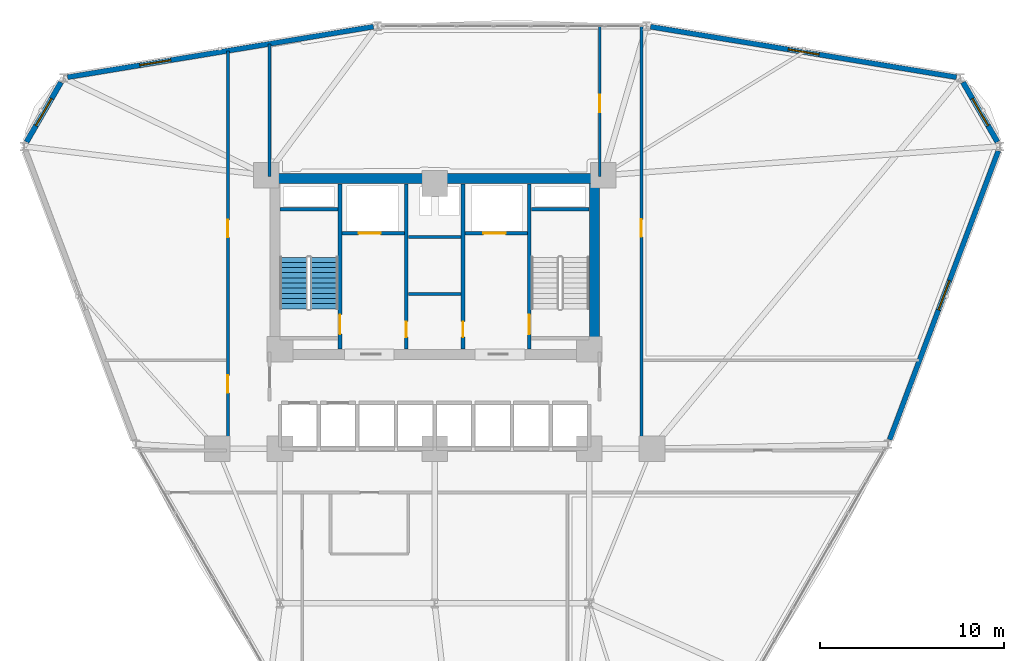
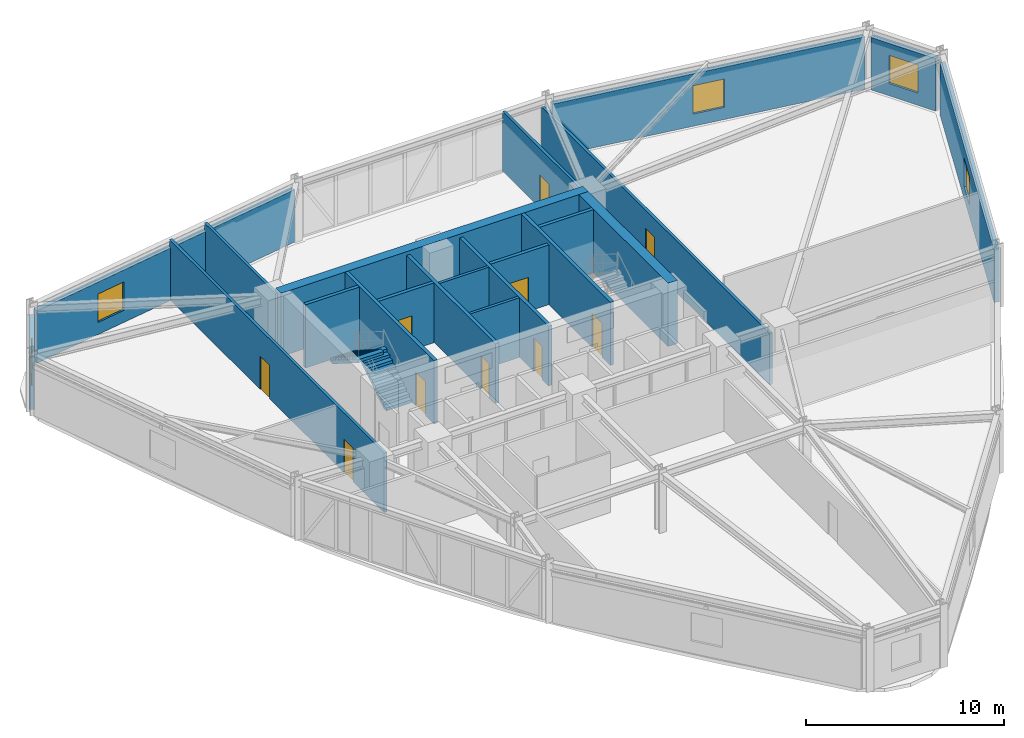
# One storey, part 15 of 20: 21 walls, 10 doors, 5 windows, 2 stair flights, 15 openings, 1 element without a shape of its own.
"""IFC4 building model written with IfcOpenShell, lengths in metres."""

from ifc_helpers import new_model, si_unit, derived_unit, direction, frame, frame_2d, origin, place, context, subcontext, project, spatial, polyline, rectangle, outline, extrude, material, layer, layer_set, type_object, element, fill, aggregate, save


model = new_model("IFC4")

# Units and contexts
model_context = context("Model", 3, precision=1e-05, world=origin(), true_north=direction((0.0, 1.0)))
body_context = subcontext(model_context, "Body", "Model", "MODEL_VIEW")
ifc_project = project(units=[si_unit("LENGTHUNIT", "METRE"), si_unit("AREAUNIT", "SQUARE_METRE"), si_unit("VOLUMEUNIT", "CUBIC_METRE"), si_unit("PLANEANGLEUNIT", "RADIAN"), si_unit("MASSUNIT", "GRAM", prefix="KILO"), derived_unit("THERMALTRANSMITTANCEUNIT", [(si_unit("POWERUNIT", "WATT"), 1), (si_unit("LENGTHUNIT", "METRE"), -2), (si_unit("THERMODYNAMICTEMPERATUREUNIT", "KELVIN"), -1)])], contexts=[model_context])

# Site, building, storey
site_placement = place(None, origin())
site = spatial("IfcSite", under=ifc_project, at=site_placement, CompositionType="ELEMENT")
building_placement = place(site_placement, origin())
building = spatial("IfcBuilding", under=site, at=building_placement, Name="Korsvarv Bourse and Concert Hall", CompositionType="ELEMENT")
storey_placement = place(building_placement, frame((0.0, 0.0, 91.199951171875)))
storey = spatial("IfcBuildingStorey", under=building, at=storey_placement, Name="L22", CompositionType="ELEMENT", Elevation=91.199951171875)

# Wall, opening, door
ifc_material_1 = material(Name="Concrete C50/60", Category="concrete")
ifc_layer_1 = layer(ifc_material_1, 0.3798828125)
ifc_layer_set_1 = layer_set([ifc_layer_1], Name="Concrete C50/60")
wall_type_1 = type_object("IfcWallType", Name="WL-CORE-380", PredefinedType="SHEAR", material=ifc_layer_set_1)
wall_1_placement = place(storey_placement, frame((30.860107421875, 37.81005859375, 0.0), z_axis=(0.0, 0.0, 1.0), x_axis=(0.0, 1.0, 0.0)))
wall_1 = element("IfcWall", 1, at=wall_1_placement, inside=storey, type_object=wall_type_1, Name="L22 stair shaft structural wall W-L22-ST1-E", PredefinedType="SHEAR", context=body_context, shape_type="SweptSolid", body=[
    extrude(rectangle(XDim=8.97998046875, YDim=0.199951171875, at=frame_2d((4.489990234375, 0.0))), origin(), (0.0, 0.0, 1.0), 3.900146484375),
])
opening_1_placement = place(wall_1_placement, frame((0.820068359375, 0.0, 0.0)))
opening_1 = element("IfcOpeningElement", 2, at=opening_1_placement, cuts=wall_1, Name="Opening D-01", PredefinedType="OPENING", context=body_context, shape_type="SweptSolid", body=[
    extrude(rectangle(XDim=1.050048828125, YDim=2.10009765625, at=frame_2d((0.52490234375, 1.050048828125))), frame((0.0, 0.10986328125, 0.0), z_axis=(0.0, -1.0, 0.0), x_axis=(1.0, 0.0, 0.0)), (0.0, 0.0, 1.0), 0.219970703125),
])
ifc_material_2 = material(Name="Steel S355 fire door", Category="steel")
door_type_1 = type_object("IfcDoorType", Name="DR-FD60", OperationType="NOTDEFINED", PredefinedType="DOOR", material=ifc_material_2)
door_1_placement = place(opening_1_placement, origin())
door_1 = element("IfcDoor", 3, at=door_1_placement, inside=storey, type_object=door_type_1, Name="L22 interior door DR-L22-ST1", OperationType="SINGLE_SWING_RIGHT", OverallHeight=2.10009765625, OverallWidth=1.050048828125, PredefinedType="DOOR", context=body_context, shape_type="SweptSolid", body=[
    extrude(rectangle(XDim=1.050048828125, YDim=2.10009765625, at=frame_2d((0.52490234375, 1.050048828125))), frame((0.0, 0.02490234375, 0.0), z_axis=(0.0, -1.0, 0.0), x_axis=(1.0, 0.0, 0.0)), (0.0, 0.0, 1.0), 0.050048828125),
])
fill(opening_1, door_1)

# Wall
wall_2_placement = place(storey_placement, frame((27.610107421875, 45.39990234375, 0.0), z_axis=(0.0, 0.0, 1.0), x_axis=(1.0, 0.0, 0.0)))
element("IfcWall", 4, at=wall_2_placement, inside=storey, type_object=wall_type_1, Name="L22 stair shaft structural wall W-L22-ST1-N", PredefinedType="SHEAR", context=body_context, shape_type="SweptSolid", body=[
    extrude(rectangle(XDim=3.139892578125, YDim=0.199951171875, at=frame_2d((1.56982421875, 0.0))), origin(), (0.0, 0.0, 1.0), 3.900146484375),
])

# Wall, opening, door
wall_3_placement = place(storey_placement, frame((41.139892578125, 37.81005859375, 0.0), z_axis=(0.0, 0.0, 1.0), x_axis=(0.0, 1.0, 0.0)))
wall_3 = element("IfcWall", 5, at=wall_3_placement, inside=storey, type_object=wall_type_1, Name="L22 stair shaft structural wall W-L22-ST2-W", PredefinedType="SHEAR", context=body_context, shape_type="SweptSolid", body=[
    extrude(rectangle(XDim=8.97998046875, YDim=0.199951171875, at=frame_2d((4.489990234375, 0.0))), origin(), (0.0, 0.0, 1.0), 3.900146484375),
])
opening_2_placement = place(wall_3_placement, frame((0.820068359375, 0.0, 0.0)))
opening_2 = element("IfcOpeningElement", 6, at=opening_2_placement, cuts=wall_3, Name="Opening D-01", PredefinedType="OPENING", context=body_context, shape_type="SweptSolid", body=[
    extrude(rectangle(XDim=1.050048828125, YDim=2.10009765625, at=frame_2d((0.52490234375, 1.050048828125))), frame((0.0, 0.10986328125, 0.0), z_axis=(0.0, -1.0, 0.0), x_axis=(1.0, 0.0, 0.0)), (0.0, 0.0, 1.0), 0.219970703125),
])
door_2_placement = place(opening_2_placement, frame((1.050048828125, 0.0, 0.0), z_axis=(0.0, 0.0, 1.0), x_axis=(-1.0, 0.0, 0.0)))
door_2 = element("IfcDoor", 7, at=door_2_placement, inside=storey, type_object=door_type_1, Name="L22 interior door DR-L22-ST2", OperationType="SINGLE_SWING_LEFT", OverallHeight=2.10009765625, OverallWidth=1.050048828125, PredefinedType="DOOR", context=body_context, shape_type="SweptSolid", body=[
    extrude(rectangle(XDim=1.050048828125, YDim=2.10009765625, at=frame_2d((0.52490234375, 1.050048828125))), frame((0.0, 0.02490234375, 0.0), z_axis=(0.0, -1.0, 0.0), x_axis=(1.0, 0.0, 0.0)), (0.0, 0.0, 1.0), 0.050048828125),
])
fill(opening_2, door_2)

# Walls
wall_4_placement = place(storey_placement, frame((41.25, 45.39990234375, 0.0), z_axis=(0.0, 0.0, 1.0), x_axis=(1.0, 0.0, 0.0)))
element("IfcWall", 8, at=wall_4_placement, inside=storey, type_object=wall_type_1, Name="L22 stair shaft structural wall W-L22-ST2-N", PredefinedType="SHEAR", context=body_context, shape_type="SweptSolid", body=[
    extrude(rectangle(XDim=3.139892578125, YDim=0.199951171875, at=frame_2d((1.56982421875, 0.0))), origin(), (0.0, 0.0, 1.0), 3.900146484375),
])
ifc_material_3 = material(Name="Concrete C60/75", Category="concrete")
ifc_layer_2 = layer(ifc_material_3, 0.550048828125)
ifc_layer_set_2 = layer_set([ifc_layer_2], Name="Concrete C60/75")
wall_type_2 = type_object("IfcWallType", Name="WL-CORE-550", PredefinedType="SHEAR", material=ifc_layer_set_2)
wall_5_placement = place(storey_placement, frame((27.050048828125, 47.074951171875, 0.0), z_axis=(0.0, 0.0, 1.0), x_axis=(1.0, 0.0, 0.0)))
element("IfcWall", 9, at=wall_5_placement, inside=storey, type_object=wall_type_2, Name="L22 North Core Shear Wall", PredefinedType="SHEAR", context=body_context, shape_type="SweptSolid", body=[
    extrude(rectangle(XDim=17.89990234375, YDim=0.550048828125, at=frame_2d((8.949951171875, 0.0))), origin(), (0.0, 0.0, 1.0), 3.900146484375),
])
wall_6_placement = place(storey_placement, frame((44.675048828125, 37.800048828125, 0.0), z_axis=(0.0, 0.0, 1.0), x_axis=(0.0, 1.0, 0.0)))
element("IfcWall", 10, at=wall_6_placement, inside=storey, type_object=wall_type_2, Name="L22 East Core Shear Wall", PredefinedType="SHEAR", context=body_context, shape_type="SweptSolid", body=[
    extrude(rectangle(XDim=9.0, YDim=0.550048828125, at=frame_2d((4.5, 0.0))), origin(), (0.0, 0.0, 1.0), 3.900146484375),
])

# Wall, opening, window
ifc_material_4 = material(Name="Precast concrete C45/55 with terracotta rainscreen", Category="concrete")
ifc_layer_3 = layer(ifc_material_4, 0.300048828125)
ifc_layer_set_3 = layer_set([ifc_layer_3], Name="Precast concrete C45/55 with terracotta rainscreen")
wall_type_3 = type_object("IfcWallType", Name="WL-EXT-TC1", PredefinedType="SOLIDWALL", material=ifc_layer_set_3)
wall_7_placement = place(storey_placement, frame((66.565185546875, 49.0615234375, 0.0), z_axis=(0.0, 0.0, 1.0), x_axis=(-0.500012356405, 0.866018269693, 0.0)))
wall_7 = element("IfcWall", 11, at=wall_7_placement, inside=storey, type_object=wall_type_3, Name="L22 terracotta exterior wall EW-L22-B01", PredefinedType="SOLIDWALL", context=body_context, shape_type="SweptSolid", body=[
    extrude(rectangle(XDim=3.7421875, YDim=0.300048828125, at=frame_2d((1.87109375, 0.0))), origin(), (0.0, 0.0, 1.0), 3.22998046875),
])
opening_3_placement = place(wall_7_placement, frame((1.02099609375, 0.0, 0.75)))
opening_3 = element("IfcOpeningElement", 12, at=opening_3_placement, cuts=wall_7, Name="Opening W-01", PredefinedType="OPENING", context=body_context, shape_type="SweptSolid", body=[
    extrude(rectangle(XDim=1.699951171875, YDim=1.75, at=frame_2d((0.85009765625, 0.875))), frame((0.0, 0.16015625, 0.0), z_axis=(0.0, -1.0, 0.0), x_axis=(1.0, 0.0, 0.0)), (0.0, 0.0, 1.0), 0.320068359375),
])
ifc_material_5 = material(Name="Thermally broken aluminium frame with triple low-E glass", Category="glass")
window_type = type_object("IfcWindowType", Name="WIN-TW1", PartitioningType="SINGLE_PANEL", PredefinedType="WINDOW", material=ifc_material_5)
window_1_placement = place(opening_3_placement, origin())
window_1 = element("IfcWindow", 13, at=window_1_placement, inside=storey, type_object=window_type, Name="L22 punched facade window W-01", OverallHeight=1.75, OverallWidth=1.699951171875, PartitioningType="SINGLE_PANEL", PredefinedType="WINDOW", context=body_context, shape_type="SweptSolid", body=[
    extrude(rectangle(XDim=1.699951171875, YDim=1.75, at=frame_2d((0.85009765625, 0.875))), frame((0.0, 0.030029296875, 0.0), z_axis=(0.0, -1.0, 0.0), x_axis=(1.0, 0.0, 0.0)), (0.0, 0.0, 1.0), 0.06005859375),
])
fill(opening_3, window_1)

wall_8_placement = place(storey_placement, frame((15.705810546875, 52.30224609375, 0.0), z_axis=(0.0, 0.0, 1.0), x_axis=(-0.500012356405, -0.866018269693, 0.0)))
wall_8 = element("IfcWall", 14, at=wall_8_placement, inside=storey, type_object=wall_type_3, Name="L22 terracotta exterior wall EW-L22-B05", PredefinedType="SOLIDWALL", context=body_context, shape_type="SweptSolid", body=[
    extrude(rectangle(XDim=3.7421875, YDim=0.300048828125, at=frame_2d((1.87109375, 0.0))), origin(), (0.0, 0.0, 1.0), 3.22998046875),
])
opening_4_placement = place(wall_8_placement, frame((1.02099609375, 0.0, 0.75)))
opening_4 = element("IfcOpeningElement", 15, at=opening_4_placement, cuts=wall_8, Name="Opening W-01", PredefinedType="OPENING", context=body_context, shape_type="SweptSolid", body=[
    extrude(rectangle(XDim=1.699951171875, YDim=1.75, at=frame_2d((0.85009765625, 0.875))), frame((0.0, 0.16015625, 0.0), z_axis=(0.0, -1.0, 0.0), x_axis=(1.0, 0.0, 0.0)), (0.0, 0.0, 1.0), 0.320068359375),
])
window_2_placement = place(opening_4_placement, origin())
window_2 = element("IfcWindow", 16, at=window_2_placement, inside=storey, type_object=window_type, Name="L22 punched facade window W-01", OverallHeight=1.75, OverallWidth=1.699951171875, PartitioningType="SINGLE_PANEL", PredefinedType="WINDOW", context=body_context, shape_type="SweptSolid", body=[
    extrude(rectangle(XDim=1.699951171875, YDim=1.75, at=frame_2d((0.85009765625, 0.875))), frame((0.0, 0.030029296875, 0.0), z_axis=(0.0, -1.0, 0.0), x_axis=(1.0, 0.0, 0.0)), (0.0, 0.0, 1.0), 0.06005859375),
])
fill(opening_4, window_2)

ifc_material_6 = material(Name="Precast concrete C45/55 with fluted terracotta pier", Category="concrete")
ifc_layer_4 = layer(ifc_material_6, 0.280029296875)
ifc_layer_set_4 = layer_set([ifc_layer_4], Name="Precast concrete C45/55 with fluted terracotta pier")
wall_type_4 = type_object("IfcWallType", Name="WL-EXT-TC2", PredefinedType="SOLIDWALL", material=ifc_layer_set_4)
wall_9_placement = place(storey_placement, frame((64.33740234375, 52.580078125, 0.0), z_axis=(0.0, 0.0, 1.0), x_axis=(-0.986649040197, 0.162860896097, 0.0)))
wall_9 = element("IfcWall", 17, at=wall_9_placement, inside=storey, type_object=wall_type_4, Name="L22 terracotta exterior wall EW-L22-B02", PredefinedType="SOLIDWALL", context=body_context, shape_type="SweptSolid", body=[
    extrude(rectangle(XDim=16.836181640625, YDim=0.280029296875, at=frame_2d((8.41796875, 0.0))), origin(), (0.0, 0.0, 1.0), 3.22998046875),
])
opening_5_placement = place(wall_9_placement, frame((7.568115234375, 0.0, 0.75)))
opening_5 = element("IfcOpeningElement", 18, at=opening_5_placement, cuts=wall_9, Name="Opening W-01", PredefinedType="OPENING", context=body_context, shape_type="SweptSolid", body=[
    extrude(rectangle(XDim=1.699951171875, YDim=1.75, at=frame_2d((0.85009765625, 0.875))), frame((0.0, 0.14990234375, 0.0), z_axis=(0.0, -1.0, 0.0), x_axis=(1.0, 0.0, 0.0)), (0.0, 0.0, 1.0), 0.300048828125),
])
window_3_placement = place(opening_5_placement, origin())
window_3 = element("IfcWindow", 19, at=window_3_placement, inside=storey, type_object=window_type, Name="L22 punched facade window W-01", OverallHeight=1.75, OverallWidth=1.699951171875, PartitioningType="SINGLE_PANEL", PredefinedType="WINDOW", context=body_context, shape_type="SweptSolid", body=[
    extrude(rectangle(XDim=1.699951171875, YDim=1.75, at=frame_2d((0.85009765625, 0.875))), frame((0.0, 0.030029296875, 0.0), z_axis=(0.0, -1.0, 0.0), x_axis=(1.0, 0.0, 0.0)), (0.0, 0.0, 1.0), 0.06005859375),
])
fill(opening_5, window_3)

wall_10_placement = place(storey_placement, frame((32.674072265625, 55.322021484375, 0.0), z_axis=(0.0, 0.0, 1.0), x_axis=(-0.986649424809, -0.162858566012, 0.0)))
wall_10 = element("IfcWall", 20, at=wall_10_placement, inside=storey, type_object=wall_type_4, Name="L22 terracotta exterior wall EW-L22-B04", PredefinedType="SOLIDWALL", context=body_context, shape_type="SweptSolid", body=[
    extrude(rectangle(XDim=16.83642578125, YDim=0.280029296875, at=frame_2d((8.418212890625, 0.0))), origin(), (0.0, 0.0, 1.0), 3.22998046875),
])
opening_6_placement = place(wall_10_placement, frame((11.152099609375, 0.0, 0.75)))
opening_6 = element("IfcOpeningElement", 21, at=opening_6_placement, cuts=wall_10, Name="Opening W-01", PredefinedType="OPENING", context=body_context, shape_type="SweptSolid", body=[
    extrude(rectangle(XDim=1.699951171875, YDim=1.75, at=frame_2d((0.85009765625, 0.875))), frame((0.0, 0.14990234375, 0.0), z_axis=(0.0, -1.0, 0.0), x_axis=(1.0, 0.0, 0.0)), (0.0, 0.0, 1.0), 0.300048828125),
])
window_4_placement = place(opening_6_placement, origin())
window_4 = element("IfcWindow", 22, at=window_4_placement, inside=storey, type_object=window_type, Name="L22 punched facade window W-01", OverallHeight=1.75, OverallWidth=1.699951171875, PartitioningType="SINGLE_PANEL", PredefinedType="WINDOW", context=body_context, shape_type="SweptSolid", body=[
    extrude(rectangle(XDim=1.699951171875, YDim=1.75, at=frame_2d((0.85009765625, 0.875))), frame((0.0, 0.030029296875, 0.0), z_axis=(0.0, -1.0, 0.0), x_axis=(1.0, 0.0, 0.0)), (0.0, 0.0, 1.0), 0.06005859375),
])
fill(opening_6, window_4)

wall_11_placement = place(storey_placement, frame((60.7099609375, 32.892822265625, 0.0), z_axis=(0.0, 0.0, 1.0), x_axis=(0.352291780657, 0.935890218605, 0.0)))
wall_11 = element("IfcWall", 23, at=wall_11_placement, inside=storey, type_object=wall_type_4, Name="L22 terracotta exterior wall EW-L22-B12", PredefinedType="SOLIDWALL", context=body_context, shape_type="SweptSolid", body=[
    extrude(rectangle(XDim=16.759033203125, YDim=0.280029296875, at=frame_2d((8.37939453125, 0.0))), origin(), (0.0, 0.0, 1.0), 3.22998046875),
])
opening_7_placement = place(wall_11_placement, frame((7.529541015625, 0.0, 0.75)))
opening_7 = element("IfcOpeningElement", 24, at=opening_7_placement, cuts=wall_11, Name="Opening W-01", PredefinedType="OPENING", context=body_context, shape_type="SweptSolid", body=[
    extrude(rectangle(XDim=1.699951171875, YDim=1.75, at=frame_2d((0.85009765625, 0.875))), frame((0.0, 0.14990234375, 0.0), z_axis=(0.0, -1.0, 0.0), x_axis=(1.0, 0.0, 0.0)), (0.0, 0.0, 1.0), 0.300048828125),
])
window_5_placement = place(opening_7_placement, origin())
window_5 = element("IfcWindow", 25, at=window_5_placement, inside=storey, type_object=window_type, Name="L22 punched facade window W-01", OverallHeight=1.75, OverallWidth=1.699951171875, PartitioningType="SINGLE_PANEL", PredefinedType="WINDOW", context=body_context, shape_type="SweptSolid", body=[
    extrude(rectangle(XDim=1.699951171875, YDim=1.75, at=frame_2d((0.85009765625, 0.875))), frame((0.0, 0.030029296875, 0.0), z_axis=(0.0, -1.0, 0.0), x_axis=(1.0, 0.0, 0.0)), (0.0, 0.0, 1.0), 0.06005859375),
])
fill(opening_7, window_5)

# Wall, opening, door
ifc_material_7 = material(Name="Reinforced concrete blockwork C35/45 fire wall", Category="concrete")
ifc_layer_5 = layer(ifc_material_7, 0.199951171875)
ifc_layer_set_5 = layer_set([ifc_layer_5], Name="Reinforced concrete blockwork C35/45 fire wall")
wall_type_5 = type_object("IfcWallType", Name="WL-INT-EI120", PredefinedType="PARTITIONING", material=ifc_layer_set_5)
wall_12_placement = place(storey_placement, frame((30.969970703125, 44.10009765625, 0.0), z_axis=(0.0, 0.0, 1.0), x_axis=(1.0, 0.0, 0.0)))
wall_12 = element("IfcWall", 26, at=wall_12_placement, inside=storey, type_object=wall_type_5, Name="L22 interior partition wall W-L22-FF1-S", PredefinedType="PARTITIONING", context=body_context, shape_type="SweptSolid", body=[
    extrude(rectangle(XDim=3.380126953125, YDim=0.199951171875, at=frame_2d((1.68994140625, 0.0))), origin(), (0.0, 0.0, 1.0), 3.679931640625),
])
opening_8_placement = place(wall_12_placement, frame((0.89990234375, 0.0, 0.0)))
opening_8 = element("IfcOpeningElement", 27, at=opening_8_placement, cuts=wall_12, Name="Opening LD-1", PredefinedType="OPENING", context=body_context, shape_type="SweptSolid", body=[
    extrude(rectangle(XDim=1.199951171875, YDim=2.10009765625, at=frame_2d((0.60009765625, 1.050048828125))), frame((0.0, 0.10986328125, 0.0), z_axis=(0.0, -1.0, 0.0), x_axis=(1.0, 0.0, 0.0)), (0.0, 0.0, 1.0), 0.219970703125),
])
ifc_material_8 = material(Name="Stainless Steel S355 firefighting lift landing door", Category="steel")
door_type_2 = type_object("IfcDoorType", Name="DR-LIFT-FF", OperationType="DOUBLE_DOOR_SLIDING", PredefinedType="DOOR", material=ifc_material_8)
door_3_placement = place(opening_8_placement, origin())
door_3 = element("IfcDoor", 28, at=door_3_placement, inside=storey, type_object=door_type_2, Name="L22 lift sliding landing door LD-L22-FF1", OperationType="DOUBLE_DOOR_SLIDING", OverallHeight=2.10009765625, OverallWidth=1.199951171875, PredefinedType="DOOR", context=body_context, shape_type="SweptSolid", body=[
    extrude(rectangle(XDim=1.199951171875, YDim=2.10009765625, at=frame_2d((0.60009765625, 1.050048828125))), frame((0.0, 0.02490234375, 0.0), z_axis=(0.0, -1.0, 0.0), x_axis=(1.0, 0.0, 0.0)), (0.0, 0.0, 1.0), 0.050048828125),
])
fill(opening_8, door_3)

wall_13_placement = place(storey_placement, frame((37.64990234375, 44.10009765625, 0.0), z_axis=(0.0, 0.0, 1.0), x_axis=(1.0, 0.0, 0.0)))
wall_13 = element("IfcWall", 29, at=wall_13_placement, inside=storey, type_object=wall_type_5, Name="L22 interior partition wall W-L22-FF2-S", PredefinedType="PARTITIONING", context=body_context, shape_type="SweptSolid", body=[
    extrude(rectangle(XDim=3.380126953125, YDim=0.199951171875, at=frame_2d((1.68994140625, 0.0))), origin(), (0.0, 0.0, 1.0), 3.679931640625),
])
opening_9_placement = place(wall_13_placement, frame((1.0, 0.0, 0.0)))
opening_9 = element("IfcOpeningElement", 30, at=opening_9_placement, cuts=wall_13, Name="Opening LD-1", PredefinedType="OPENING", context=body_context, shape_type="SweptSolid", body=[
    extrude(rectangle(XDim=1.199951171875, YDim=2.10009765625, at=frame_2d((0.60009765625, 1.050048828125))), frame((0.0, 0.10986328125, 0.0), z_axis=(0.0, -1.0, 0.0), x_axis=(1.0, 0.0, 0.0)), (0.0, 0.0, 1.0), 0.219970703125),
])
door_4_placement = place(opening_9_placement, origin())
door_4 = element("IfcDoor", 31, at=door_4_placement, inside=storey, type_object=door_type_2, Name="L22 lift sliding landing door LD-L22-FF2", OperationType="DOUBLE_DOOR_SLIDING", OverallHeight=2.10009765625, OverallWidth=1.199951171875, PredefinedType="DOOR", context=body_context, shape_type="SweptSolid", body=[
    extrude(rectangle(XDim=1.199951171875, YDim=2.10009765625, at=frame_2d((0.60009765625, 1.050048828125))), frame((0.0, 0.02490234375, 0.0), z_axis=(0.0, -1.0, 0.0), x_axis=(1.0, 0.0, 0.0)), (0.0, 0.0, 1.0), 0.050048828125),
])
fill(opening_9, door_4)

wall_14_placement = place(storey_placement, frame((34.4599609375, 37.81005859375, 0.0), z_axis=(0.0, 0.0, 1.0), x_axis=(0.0, 1.0, 0.0)))
wall_14 = element("IfcWall", 32, at=wall_14_placement, inside=storey, type_object=wall_type_5, Name="L22 interior partition wall W-L22-CSB-W", PredefinedType="PARTITIONING", context=body_context, shape_type="SweptSolid", body=[
    extrude(rectangle(XDim=8.97998046875, YDim=0.199951171875, at=frame_2d((4.489990234375, 0.0))), origin(), (0.0, 0.0, 1.0), 3.679931640625),
])
opening_10_placement = place(wall_14_placement, frame((0.64990234375, 0.0, 0.0)))
opening_10 = element("IfcOpeningElement", 33, at=opening_10_placement, cuts=wall_14, Name="Opening D-05", PredefinedType="OPENING", context=body_context, shape_type="SweptSolid", body=[
    extrude(rectangle(XDim=0.85009765625, YDim=2.050048828125, at=frame_2d((0.425048828125, 1.02490234375))), frame((0.0, 0.10986328125, 0.0), z_axis=(0.0, -1.0, 0.0), x_axis=(1.0, 0.0, 0.0)), (0.0, 0.0, 1.0), 0.219970703125),
])
door_type_3 = type_object("IfcDoorType", Name="DR-FD60-850X2050", OperationType="NOTDEFINED", PredefinedType="DOOR", material=ifc_material_2)
door_5_placement = place(opening_10_placement, frame((0.85009765625, 0.0, 0.0), z_axis=(0.0, 0.0, 1.0), x_axis=(-1.0, 0.0, 0.0)))
door_5 = element("IfcDoor", 34, at=door_5_placement, inside=storey, type_object=door_type_3, Name="L22 interior door DR-L22-CSB1", OperationType="SINGLE_SWING_RIGHT", OverallHeight=2.050048828125, OverallWidth=0.85009765625, PredefinedType="DOOR", context=body_context, shape_type="SweptSolid", body=[
    extrude(rectangle(XDim=0.85009765625, YDim=2.050048828125, at=frame_2d((0.425048828125, 1.02490234375))), frame((0.0, 0.02490234375, 0.0), z_axis=(0.0, -1.0, 0.0), x_axis=(1.0, 0.0, 0.0)), (0.0, 0.0, 1.0), 0.050048828125),
])
fill(opening_10, door_5)

wall_15_placement = place(storey_placement, frame((37.5400390625, 37.81005859375, 0.0), z_axis=(0.0, 0.0, 1.0), x_axis=(0.0, 1.0, 0.0)))
wall_15 = element("IfcWall", 35, at=wall_15_placement, inside=storey, type_object=wall_type_5, Name="L22 interior partition wall W-L22-CSB-E", PredefinedType="PARTITIONING", context=body_context, shape_type="SweptSolid", body=[
    extrude(rectangle(XDim=8.97998046875, YDim=0.199951171875, at=frame_2d((4.489990234375, 0.0))), origin(), (0.0, 0.0, 1.0), 3.679931640625),
])
opening_11_placement = place(wall_15_placement, frame((0.64990234375, 0.0, 0.0)))
opening_11 = element("IfcOpeningElement", 36, at=opening_11_placement, cuts=wall_15, Name="Opening D-05", PredefinedType="OPENING", context=body_context, shape_type="SweptSolid", body=[
    extrude(rectangle(XDim=0.85009765625, YDim=2.050048828125, at=frame_2d((0.425048828125, 1.02490234375))), frame((0.0, 0.10986328125, 0.0), z_axis=(0.0, -1.0, 0.0), x_axis=(1.0, 0.0, 0.0)), (0.0, 0.0, 1.0), 0.219970703125),
])
door_6_placement = place(opening_11_placement, origin())
door_6 = element("IfcDoor", 37, at=door_6_placement, inside=storey, type_object=door_type_3, Name="L22 interior door DR-L22-CSB2", OperationType="SINGLE_SWING_LEFT", OverallHeight=2.050048828125, OverallWidth=0.85009765625, PredefinedType="DOOR", context=body_context, shape_type="SweptSolid", body=[
    extrude(rectangle(XDim=0.85009765625, YDim=2.050048828125, at=frame_2d((0.425048828125, 1.02490234375))), frame((0.0, 0.02490234375, 0.0), z_axis=(0.0, -1.0, 0.0), x_axis=(1.0, 0.0, 0.0)), (0.0, 0.0, 1.0), 0.050048828125),
])
fill(opening_11, door_6)

# Walls
ifc_material_9 = material(Name="Double-stud fire-rated acoustic partition", Category="gypsum")
ifc_layer_6 = layer(ifc_material_9, 0.159912109375)
ifc_layer_set_6 = layer_set([ifc_layer_6], Name="Double-stud fire-rated acoustic partition")
wall_type_6 = type_object("IfcWallType", Name="WL-INT-EI60", PredefinedType="PARTITIONING", material=ifc_layer_set_6)
for number, where, z_axis, x_axis, name in (
    (38, (34.570068359375, 40.800048828125, 0.0), (0.0, 0.0, 1.0), (1.0, 0.0, 0.0), "L22 interior partition wall W-L22-K1"),
    (39, (34.570068359375, 43.89990234375, 0.0), (0.0, 0.0, 1.0), (1.0, 0.0, 0.0), "L22 interior partition wall W-L22-K2"),
):
    element("IfcWall", number, at=place(storey_placement, frame(where, z_axis=z_axis, x_axis=x_axis)), inside=storey, type_object=wall_type_6, Name=name, PredefinedType="PARTITIONING", context=body_context, shape_type="SweptSolid", body=[
        extrude(rectangle(XDim=2.85986328125, YDim=0.159912109375, at=frame_2d((1.429931640625, 0.0))), origin(), (0.0, 0.0, 1.0), 3.679931640625),
    ])

# Wall, opening, door
wall_16_placement = place(storey_placement, frame((47.22509765625, 32.31005859375, 0.0), z_axis=(0.0, 0.0, 1.0), x_axis=(0.0, 1.0, 0.0)))
wall_16 = element("IfcWall", 40, at=wall_16_placement, inside=storey, type_object=wall_type_6, Name="L22 interior partition wall W-L22-TCOR-02", PredefinedType="PARTITIONING", context=body_context, shape_type="SweptSolid", body=[
    extrude(rectangle(XDim=23.02783203125, YDim=0.159912109375, at=frame_2d((11.513916015625, 0.0))), origin(), (0.0, 0.0, 1.0), 3.179931640625),
])
opening_12_placement = place(wall_16_placement, frame((11.590087890625, 0.0, 0.0)))
opening_12 = element("IfcOpeningElement", 41, at=opening_12_placement, cuts=wall_16, Name="Opening D-02", PredefinedType="OPENING", context=body_context, shape_type="SweptSolid", body=[
    extrude(rectangle(XDim=0.949951171875, YDim=2.050048828125, at=frame_2d((0.47509765625, 1.02490234375))), frame((0.0, 0.08984375, 0.0), z_axis=(0.0, -1.0, 0.0), x_axis=(1.0, 0.0, 0.0)), (0.0, 0.0, 1.0), 0.179931640625),
])
ifc_material_10 = material(Name="Timber and steel acoustic fire door", Category="wood")
door_type_4 = type_object("IfcDoorType", Name="DR-FD30", OperationType="NOTDEFINED", PredefinedType="DOOR", material=ifc_material_10)
door_7_placement = place(opening_12_placement, origin())
door_7 = element("IfcDoor", 42, at=door_7_placement, inside=storey, type_object=door_type_4, Name="L22 interior door DR-L22-TCOR-R072", OperationType="SINGLE_SWING_RIGHT", OverallHeight=2.050048828125, OverallWidth=0.949951171875, PredefinedType="DOOR", context=body_context, shape_type="SweptSolid", body=[
    extrude(rectangle(XDim=0.949951171875, YDim=2.050048828125, at=frame_2d((0.47509765625, 1.02490234375))), frame((0.0, 0.02490234375, 0.0), z_axis=(0.0, -1.0, 0.0), x_axis=(1.0, 0.0, 0.0)), (0.0, 0.0, 1.0), 0.050048828125),
])
fill(opening_12, door_7)

# Wall, openings, doors
wall_17_placement = place(storey_placement, frame((24.77490234375, 32.31005859375, 0.0), z_axis=(0.0, 0.0, 1.0), x_axis=(0.0, 1.0, 0.0)))
wall_17 = element("IfcWall", 43, at=wall_17_placement, inside=storey, type_object=wall_type_6, Name="L22 interior partition wall W-L22-TCOR-03", PredefinedType="PARTITIONING", context=body_context, shape_type="SweptSolid", body=[
    extrude(rectangle(XDim=21.688232421875, YDim=0.159912109375, at=frame_2d((10.84423828125, 0.0))), origin(), (0.0, 0.0, 1.0), 3.679931640625),
])
opening_13_placement = place(wall_17_placement, frame((3.128173828125, 0.0, 0.0)))
opening_13 = element("IfcOpeningElement", 44, at=opening_13_placement, cuts=wall_17, Name="Opening D-02", PredefinedType="OPENING", context=body_context, shape_type="SweptSolid", body=[
    extrude(rectangle(XDim=0.949951171875, YDim=2.050048828125, at=frame_2d((0.47509765625, 1.02490234375))), frame((0.0, 0.08984375, 0.0), z_axis=(0.0, -1.0, 0.0), x_axis=(1.0, 0.0, 0.0)), (0.0, 0.0, 1.0), 0.179931640625),
])
opening_14_placement = place(wall_17_placement, frame((11.572509765625, 0.0, 0.0)))
opening_14 = element("IfcOpeningElement", 45, at=opening_14_placement, cuts=wall_17, Name="Opening D-02", PredefinedType="OPENING", context=body_context, shape_type="SweptSolid", body=[
    extrude(rectangle(XDim=0.949951171875, YDim=2.050048828125, at=frame_2d((0.47509765625, 1.02490234375))), frame((0.0, 0.08984375, 0.0), z_axis=(0.0, -1.0, 0.0), x_axis=(1.0, 0.0, 0.0)), (0.0, 0.0, 1.0), 0.179931640625),
])
door_8_placement = place(opening_13_placement, origin())
door_8 = element("IfcDoor", 46, at=door_8_placement, inside=storey, type_object=door_type_4, Name="L22 interior door DR-L22-TCOR-R047", OperationType="SINGLE_SWING_LEFT", OverallHeight=2.050048828125, OverallWidth=0.949951171875, PredefinedType="DOOR", context=body_context, shape_type="SweptSolid", body=[
    extrude(rectangle(XDim=0.949951171875, YDim=2.050048828125, at=frame_2d((0.47509765625, 1.02490234375))), frame((0.0, 0.02490234375, 0.0), z_axis=(0.0, -1.0, 0.0), x_axis=(1.0, 0.0, 0.0)), (0.0, 0.0, 1.0), 0.050048828125),
])
fill(opening_13, door_8)
door_9_placement = place(opening_14_placement, origin())
door_9 = element("IfcDoor", 47, at=door_9_placement, inside=storey, type_object=door_type_4, Name="L22 interior door DR-L22-TCOR-R058", OperationType="SINGLE_SWING_RIGHT", OverallHeight=2.050048828125, OverallWidth=0.949951171875, PredefinedType="DOOR", context=body_context, shape_type="SweptSolid", body=[
    extrude(rectangle(XDim=0.949951171875, YDim=2.050048828125, at=frame_2d((0.47509765625, 1.02490234375))), frame((0.0, 0.02490234375, 0.0), z_axis=(0.0, -1.0, 0.0), x_axis=(1.0, 0.0, 0.0)), (0.0, 0.0, 1.0), 0.050048828125),
])
fill(opening_14, door_9)

# Wall, opening, door
wall_18_placement = place(storey_placement, frame((44.965087890625, 47.179931640625, 0.0), z_axis=(0.0, 0.0, 1.0), x_axis=(0.0, 1.0, 0.0)))
wall_18 = element("IfcWall", 48, at=wall_18_placement, inside=storey, type_object=wall_type_6, Name="L22 interior partition wall W-L22-TCOR-05", PredefinedType="PARTITIONING", context=body_context, shape_type="SweptSolid", body=[
    extrude(rectangle(XDim=8.157958984375, YDim=0.159912109375, at=frame_2d((4.0791015625, 0.0))), origin(), (0.0, 0.0, 1.0), 3.679931640625),
])
opening_15_placement = place(wall_18_placement, frame((3.498046875, 0.0, 0.0)))
opening_15 = element("IfcOpeningElement", 49, at=opening_15_placement, cuts=wall_18, Name="Opening D-02", PredefinedType="OPENING", context=body_context, shape_type="SweptSolid", body=[
    extrude(rectangle(XDim=0.949951171875, YDim=2.050048828125, at=frame_2d((0.47509765625, 1.02490234375))), frame((0.0, 0.08984375, 0.0), z_axis=(0.0, -1.0, 0.0), x_axis=(1.0, 0.0, 0.0)), (0.0, 0.0, 1.0), 0.179931640625),
])
door_10_placement = place(opening_15_placement, origin())
door_10 = element("IfcDoor", 50, at=door_10_placement, inside=storey, type_object=door_type_4, Name="L22 interior door DR-L22-TCOR-RM66", OperationType="SINGLE_SWING_RIGHT", OverallHeight=2.050048828125, OverallWidth=0.949951171875, PredefinedType="DOOR", context=body_context, shape_type="SweptSolid", body=[
    extrude(rectangle(XDim=0.949951171875, YDim=2.050048828125, at=frame_2d((0.47509765625, 1.02490234375))), frame((0.0, 0.02490234375, 0.0), z_axis=(0.0, -1.0, 0.0), x_axis=(1.0, 0.0, 0.0)), (0.0, 0.0, 1.0), 0.050048828125),
])
fill(opening_15, door_10)

# Wall
wall_19_placement = place(storey_placement, frame((27.034912109375, 47.179931640625, 0.0), z_axis=(0.0, 0.0, 1.0), x_axis=(0.0, 1.0, 0.0)))
element("IfcWall", 51, at=wall_19_placement, inside=storey, type_object=wall_type_6, Name="L22 interior partition wall W-L22-TCOR-06", PredefinedType="PARTITIONING", context=body_context, shape_type="SweptSolid", body=[
    extrude(rectangle(XDim=7.191162109375, YDim=0.159912109375, at=frame_2d((3.595703125, 0.0))), origin(), (0.0, 0.0, 1.0), 3.679931640625),
])

# Stair, stair flights
ifc_material_11 = material(Name="Precast concrete C45/55", Category="concrete")
stair_type = type_object("IfcStairType", Name="STR-TYPE-03", PredefinedType="HALF_TURN_STAIR", material=ifc_material_11)
stair_placement = place(storey_placement, origin())
stair = element("IfcStair", 52, at=stair_placement, inside=storey, type_object=stair_type, Name="L22 Tower West Exit Stair ST-T1", PredefinedType="HALF_TURN_STAIR")
stair_flight_type = type_object("IfcStairFlightType", Name="FLT-TYPE-03", PredefinedType="STRAIGHT", material=ifc_material_11)
stair_flight_1_placement = place(storey_placement, frame((30.010009765625, 40.0, 0.0), z_axis=(0.0, 0.0, 1.0), x_axis=(0.0, 1.0, 0.0)))
stair_flight_1 = element("IfcStairFlight", 53, at=stair_flight_1_placement, type_object=stair_flight_type, Name="ST-T1 flight 1", NumberOfRisers=11, NumberOfTreads=10, PredefinedType="STRAIGHT", RiserHeight=0.177272727, TreadLength=0.28, context=body_context, shape_type="SweptSolid", body=[
    extrude(outline(polyline([(0.0, 0.0), (0.0, 0.17724609375), (0.280029296875, 0.17724609375), (0.280029296875, 0.3544921875), (0.56005859375, 0.3544921875), (0.56005859375, 0.53173828125), (0.840087890625, 0.53173828125), (0.840087890625, 0.708984375), (1.1201171875, 0.708984375), (1.1201171875, 0.886474609375), (1.39990234375, 0.886474609375), (1.39990234375, 1.063720703125), (1.679931640625, 1.063720703125), (1.679931640625, 1.240966796875), (1.9599609375, 1.240966796875), (1.9599609375, 1.418212890625), (2.239990234375, 1.418212890625), (2.239990234375, 1.595458984375), (2.52001953125, 1.595458984375), (2.52001953125, 1.772705078125), (2.800048828125, 1.772705078125), (2.800048828125, 1.949951171875), (2.800048828125, 1.59521484375), (0.2802734375, 0.0), (0.0, 0.0)])), frame((0.0, 0.75, 0.0), z_axis=(0.0, -1.0, 0.0), x_axis=(1.0, 0.0, 0.0)), (0.0, 0.0, 1.0), 1.5),
])
stair_flight_2_placement = place(storey_placement, frame((28.35009765625, 42.800048828125, 1.949951171875), z_axis=(0.0, 0.0, 1.0), x_axis=(0.0, -1.0, 0.0)))
stair_flight_2 = element("IfcStairFlight", 54, at=stair_flight_2_placement, type_object=stair_flight_type, Name="ST-T1 flight 2", NumberOfRisers=11, NumberOfTreads=10, PredefinedType="STRAIGHT", RiserHeight=0.177272727, TreadLength=0.28, context=body_context, shape_type="SweptSolid", body=[
    extrude(outline(polyline([(0.0, 0.0), (0.0, 0.17724609375), (0.280029296875, 0.17724609375), (0.280029296875, 0.3544921875), (0.56005859375, 0.3544921875), (0.56005859375, 0.53173828125), (0.840087890625, 0.53173828125), (0.840087890625, 0.708984375), (1.1201171875, 0.708984375), (1.1201171875, 0.886474609375), (1.39990234375, 0.886474609375), (1.39990234375, 1.063720703125), (1.679931640625, 1.063720703125), (1.679931640625, 1.240966796875), (1.9599609375, 1.240966796875), (1.9599609375, 1.418212890625), (2.239990234375, 1.418212890625), (2.239990234375, 1.595458984375), (2.52001953125, 1.595458984375), (2.52001953125, 1.772705078125), (2.800048828125, 1.772705078125), (2.800048828125, 1.949951171875), (2.800048828125, 1.59521484375), (0.2802734375, 0.0), (0.0, 0.0)])), frame((0.0, 0.75, 0.0), z_axis=(0.0, -1.0, 0.0), x_axis=(1.0, 0.0, 0.0)), (0.0, 0.0, 1.0), 1.5),
])
aggregate(stair, [stair_flight_1, stair_flight_2])

save(model, "model.ifc")
